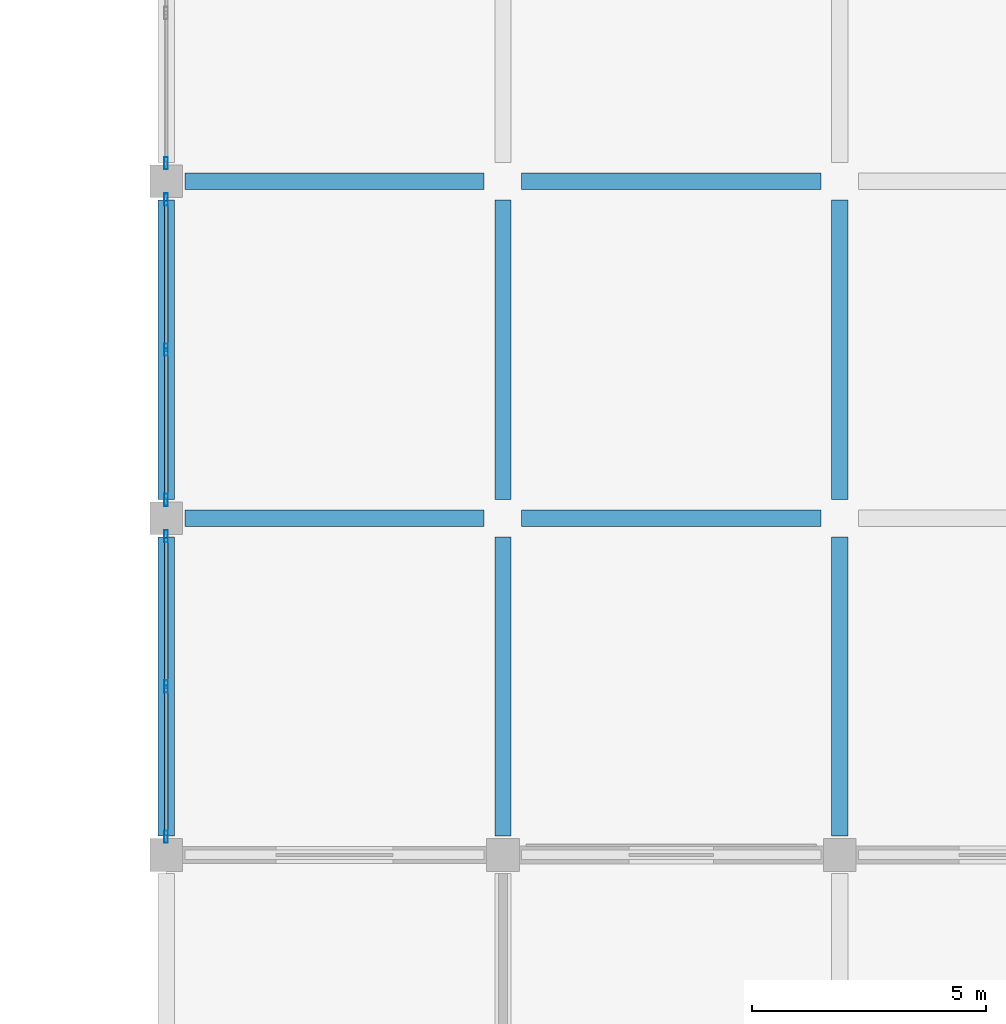
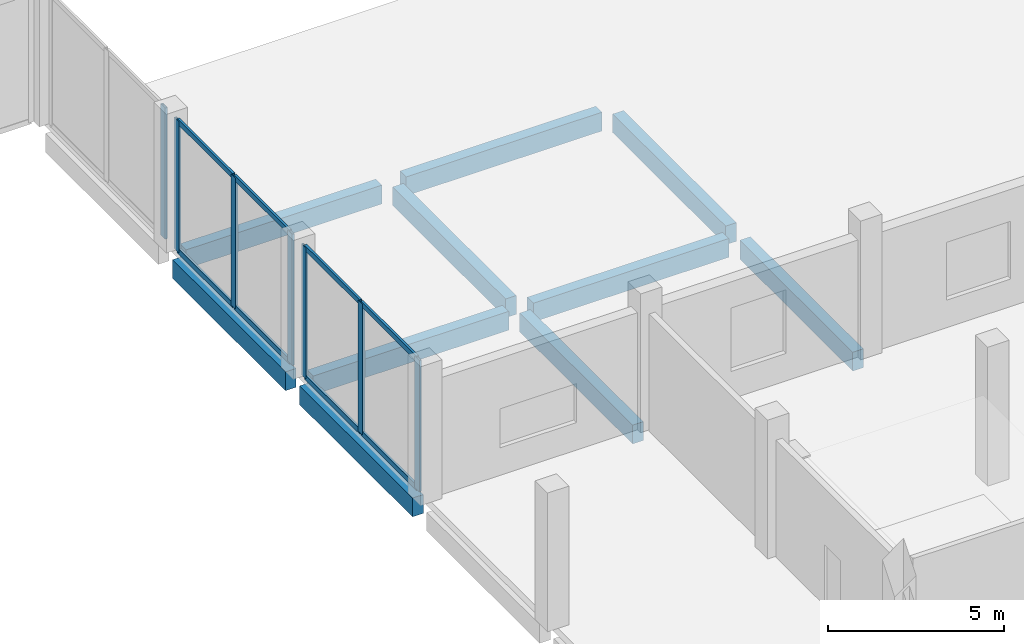
# One storey, part 52 of 99: 15 members, 10 beams, 3 elements without a shape of their own.
"""IFC4 building model written with IfcOpenShell, lengths in metres."""

from ifc_helpers import new_model, si_unit, direction, frame, origin, origin_2d, place, context, subcontext, project, spatial, rectangle, hollow_rectangle, extrude, material, material_profile, profile_set, type_object, element, aggregate, save


model = new_model("IFC4")

# Units and contexts
model_context = context("Model", 3, precision=1e-05, world=origin(), true_north=direction((0.0, 1.0)))
body_context = subcontext(model_context, "Body", "Model", "MODEL_VIEW")
ifc_project = project(units=[si_unit("LENGTHUNIT", "METRE"), si_unit("AREAUNIT", "SQUARE_METRE"), si_unit("VOLUMEUNIT", "CUBIC_METRE"), si_unit("PLANEANGLEUNIT", "RADIAN"), si_unit("MASSUNIT", "GRAM", prefix="KILO")], contexts=[model_context])

# Site, building, storey
site_placement = place(None, origin())
site = spatial("IfcSite", under=ifc_project, at=site_placement, CompositionType="ELEMENT")
building_placement = place(site_placement, origin())
building = spatial("IfcBuilding", under=site, at=building_placement, Name="Vesperath Aquatics Centre", CompositionType="ELEMENT")
storey_placement = place(building_placement, frame((0.0, 0.0, 5.39990234375)))
storey = spatial("IfcBuildingStorey", under=building, at=storey_placement, Name="L01", CompositionType="ELEMENT", Elevation=5.39990234375)

# Beams
ifc_material_1 = material(Name="Concrete C35", Category="concrete")
ifc_material_profile_1 = material_profile(ifc_material_1, rectangle(XDim=0.35009765625, YDim=0.64990234375, at=origin_2d()), Name="RC 350x650")
ifc_profile_set_1 = profile_set([ifc_material_profile_1], Name="Concrete C35")
beam_type = type_object("IfcBeamType", Name="BM-G05", PredefinedType="BEAM", material=ifc_profile_set_1)
for number, where, z_axis, x_axis, name in (
    (1, (144.39990234375, 100.800048828125, -0.579833984375), (1.0, 0.0, 0.0), (0.0, 1.0, 0.0), "Changing Wing Low Roof Girder B05 Q 21-22"),
    (2, (144.39990234375, 108.0, -0.579833984375), (1.0, 0.0, 0.0), (0.0, 1.0, 0.0), "Changing Wing Low Roof Girder B05 R 21-22"),
):
    element("IfcBeam", number, at=place(storey_placement, frame(where, z_axis=z_axis, x_axis=x_axis)), inside=storey, type_object=beam_type, Name=name, PredefinedType="BEAM", context=body_context, shape_type="SweptSolid", body=[
        extrude(rectangle(XDim=0.35009765625, YDim=0.64990234375, at=origin_2d()), origin(), (0.0, 0.0, 1.0), 6.400146484375),
    ])
for number, where, z_axis, x_axis, name in (
    (3, (151.60009765625, 100.800048828125, -0.579833984375), (1.0, 0.0, 0.0), (0.0, 1.0, 0.0), "Changing Wing Low Roof Girder B05 Q 22-23"),
    (4, (151.60009765625, 108.0, -0.579833984375), (1.0, 0.0, 0.0), (0.0, 1.0, 0.0), "Changing Wing Low Roof Girder B05 R 22-23"),
    (5, (144.0, 94.0, -0.579833984375), (0.0, 1.0, 0.0), (-1.0, 0.0, 0.0), "Changing Wing Low Roof Girder B05 21 P-Q"),
):
    element("IfcBeam", number, at=place(storey_placement, frame(where, z_axis=z_axis, x_axis=x_axis)), inside=storey, type_object=beam_type, Name=name, PredefinedType="BEAM", context=body_context, shape_type="SweptSolid", body=[
        extrude(rectangle(XDim=0.35009765625, YDim=0.64990234375, at=origin_2d()), origin(), (0.0, 0.0, 1.0), 6.39990234375),
    ])
beam_1_placement = place(storey_placement, frame((144.0, 101.199951171875, -0.579833984375), z_axis=(0.0, 1.0, 0.0), x_axis=(-1.0, 0.0, 0.0)))
element("IfcBeam", 6, at=beam_1_placement, inside=storey, type_object=beam_type, Name="Changing Wing Low Roof Girder B05 21 Q-R", PredefinedType="BEAM", context=body_context, shape_type="SweptSolid", body=[
    extrude(rectangle(XDim=0.35009765625, YDim=0.64990234375, at=origin_2d()), origin(), (0.0, 0.0, 1.0), 6.400146484375),
])
beam_2_placement = place(storey_placement, frame((151.199951171875, 94.0, -0.579833984375), z_axis=(0.0, 1.0, 0.0), x_axis=(-1.0, 0.0, 0.0)))
element("IfcBeam", 7, at=beam_2_placement, inside=storey, type_object=beam_type, Name="Changing Wing Low Roof Girder B05 22 P-Q", PredefinedType="BEAM", context=body_context, shape_type="SweptSolid", body=[
    extrude(rectangle(XDim=0.35009765625, YDim=0.64990234375, at=origin_2d()), origin(), (0.0, 0.0, 1.0), 6.39990234375),
])
beam_3_placement = place(storey_placement, frame((151.199951171875, 101.199951171875, -0.579833984375), z_axis=(0.0, 1.0, 0.0), x_axis=(-1.0, 0.0, 0.0)))
element("IfcBeam", 8, at=beam_3_placement, inside=storey, type_object=beam_type, Name="Changing Wing Low Roof Girder B05 22 Q-R", PredefinedType="BEAM", context=body_context, shape_type="SweptSolid", body=[
    extrude(rectangle(XDim=0.35009765625, YDim=0.64990234375, at=origin_2d()), origin(), (0.0, 0.0, 1.0), 6.400146484375),
])
beam_4_placement = place(storey_placement, frame((158.39990234375, 94.0, -0.579833984375), z_axis=(0.0, 1.0, 0.0), x_axis=(-1.0, 0.0, 0.0)))
element("IfcBeam", 9, at=beam_4_placement, inside=storey, type_object=beam_type, Name="Changing Wing Low Roof Girder B05 23 P-Q", PredefinedType="BEAM", context=body_context, shape_type="SweptSolid", body=[
    extrude(rectangle(XDim=0.35009765625, YDim=0.64990234375, at=origin_2d()), origin(), (0.0, 0.0, 1.0), 6.39990234375),
])
beam_5_placement = place(storey_placement, frame((158.39990234375, 101.199951171875, -0.579833984375), z_axis=(0.0, 1.0, 0.0), x_axis=(-1.0, 0.0, 0.0)))
element("IfcBeam", 10, at=beam_5_placement, inside=storey, type_object=beam_type, Name="Changing Wing Low Roof Girder B05 23 Q-R", PredefinedType="BEAM", context=body_context, shape_type="SweptSolid", body=[
    extrude(rectangle(XDim=0.35009765625, YDim=0.64990234375, at=origin_2d()), origin(), (0.0, 0.0, 1.0), 6.400146484375),
])

# Curtain wall, members
ifc_material_2 = material(Name="Thermally broken anodised bronze aluminium curtain wall", Category="aluminium")
curtain_wall_type = type_object("IfcCurtainWallType", Name="CW-06", PredefinedType="NOTDEFINED", material=ifc_material_2)
curtain_wall_1_placement = place(storey_placement, origin())
curtain_wall_1 = element("IfcCurtainWall", 11, at=curtain_wall_1_placement, inside=storey, type_object=curtain_wall_type, Name="Facade Curtain Wall CW06 L01_E_20_13", PredefinedType="NOTDEFINED")
ifc_material_3 = material(Name="Thermally broken anodised aluminium", Category="aluminium")
ifc_material_profile_2 = material_profile(ifc_material_3, hollow_rectangle(XDim=0.074951171875, YDim=0.260009765625, WallThickness=0.006103515625, at=origin_2d()), Name="CWM 75x260x6")
ifc_profile_set_2 = profile_set([ifc_material_profile_2], Name="Thermally broken anodised aluminium")
member_type_1 = type_object("IfcMemberType", Name="MB-CWM1", PredefinedType="MULLION", material=ifc_profile_set_2)
member_1_placement = place(storey_placement, frame((144.0, 93.987548828125, 0.0), z_axis=(0.0, 0.0, 1.0), x_axis=(-1.0, 0.0, 0.0)))
member_1 = element("IfcMember", 12, at=member_1_placement, type_object=member_type_1, Name="CW06 mullion 1", PredefinedType="MULLION", context=body_context, shape_type="SweptSolid", body=[
    extrude(hollow_rectangle(XDim=0.074951171875, YDim=0.260009765625, WallThickness=0.006103515625, at=origin_2d()), origin(), (0.0, 0.0, 1.0), 4.5400390625),
])
member_2_placement = place(storey_placement, frame((144.0, 97.199951171875, 0.0), z_axis=(0.0, 0.0, 1.0), x_axis=(-1.0, 0.0, 0.0)))
member_2 = element("IfcMember", 13, at=member_2_placement, type_object=member_type_1, Name="CW06 mullion 2", PredefinedType="MULLION", context=body_context, shape_type="SweptSolid", body=[
    extrude(hollow_rectangle(XDim=0.074951171875, YDim=0.260009765625, WallThickness=0.006103515625, at=origin_2d()), origin(), (0.0, 0.0, 1.0), 4.5400390625),
])
member_3_placement = place(storey_placement, frame((144.0, 100.41259765625, 0.0), z_axis=(0.0, 0.0, 1.0), x_axis=(-1.0, 0.0, 0.0)))
member_3 = element("IfcMember", 14, at=member_3_placement, type_object=member_type_1, Name="CW06 mullion 3", PredefinedType="MULLION", context=body_context, shape_type="SweptSolid", body=[
    extrude(hollow_rectangle(XDim=0.074951171875, YDim=0.260009765625, WallThickness=0.006103515625, at=origin_2d()), origin(), (0.0, 0.0, 1.0), 4.5400390625),
])

curtain_wall_2_placement = place(storey_placement, origin())
curtain_wall_2 = element("IfcCurtainWall", 15, at=curtain_wall_2_placement, inside=storey, type_object=curtain_wall_type, Name="Facade Curtain Wall CW06 L01_E_20_14", PredefinedType="NOTDEFINED")
member_4_placement = place(storey_placement, frame((144.0, 101.1875, 0.0), z_axis=(0.0, 0.0, 1.0), x_axis=(-1.0, 0.0, 0.0)))
member_4 = element("IfcMember", 16, at=member_4_placement, type_object=member_type_1, Name="CW06 mullion 1", PredefinedType="MULLION", context=body_context, shape_type="SweptSolid", body=[
    extrude(hollow_rectangle(XDim=0.074951171875, YDim=0.260009765625, WallThickness=0.006103515625, at=origin_2d()), origin(), (0.0, 0.0, 1.0), 4.5400390625),
])
member_5_placement = place(storey_placement, frame((144.0, 104.39990234375, 0.0), z_axis=(0.0, 0.0, 1.0), x_axis=(-1.0, 0.0, 0.0)))
member_5 = element("IfcMember", 17, at=member_5_placement, type_object=member_type_1, Name="CW06 mullion 2", PredefinedType="MULLION", context=body_context, shape_type="SweptSolid", body=[
    extrude(hollow_rectangle(XDim=0.074951171875, YDim=0.260009765625, WallThickness=0.006103515625, at=origin_2d()), origin(), (0.0, 0.0, 1.0), 4.5400390625),
])
member_6_placement = place(storey_placement, frame((144.0, 107.612548828125, 0.0), z_axis=(0.0, 0.0, 1.0), x_axis=(-1.0, 0.0, 0.0)))
member_6 = element("IfcMember", 18, at=member_6_placement, type_object=member_type_1, Name="CW06 mullion 3", PredefinedType="MULLION", context=body_context, shape_type="SweptSolid", body=[
    extrude(hollow_rectangle(XDim=0.074951171875, YDim=0.260009765625, WallThickness=0.006103515625, at=origin_2d()), origin(), (0.0, 0.0, 1.0), 4.5400390625),
])

# Curtain wall, member
curtain_wall_3_placement = place(storey_placement, origin())
curtain_wall_3 = element("IfcCurtainWall", 19, at=curtain_wall_3_placement, inside=storey, type_object=curtain_wall_type, Name="Facade Curtain Wall CW06 L01_E_20_15", PredefinedType="NOTDEFINED")
member_7_placement = place(storey_placement, frame((144.0, 108.387451171875, 0.0), z_axis=(0.0, 0.0, 1.0), x_axis=(-1.0, 0.0, 0.0)))
member_7 = element("IfcMember", 20, at=member_7_placement, type_object=member_type_1, Name="CW06 mullion 1", PredefinedType="MULLION", context=body_context, shape_type="SweptSolid", body=[
    extrude(hollow_rectangle(XDim=0.074951171875, YDim=0.260009765625, WallThickness=0.006103515625, at=origin_2d()), origin(), (0.0, 0.0, 1.0), 4.5400390625),
])
aggregate(curtain_wall_3, [member_7])

# Member
ifc_material_profile_3 = material_profile(ifc_material_3, hollow_rectangle(XDim=0.074951171875, YDim=0.179931640625, WallThickness=0.0048828125, at=origin_2d()), Name="CWT 75x180x5")
ifc_profile_set_3 = profile_set([ifc_material_profile_3], Name="Thermally broken anodised aluminium")
member_type_2 = type_object("IfcMemberType", Name="MB-CWT1", PredefinedType="USERDEFINED", material=ifc_profile_set_3)
member_8_placement = place(storey_placement, frame((144.0, 94.02490234375, 0.03759765625), z_axis=(0.0, 1.0, 0.0), x_axis=(-1.0, 0.0, 0.0)))
member_8 = element("IfcMember", 21, at=member_8_placement, type_object=member_type_2, Name="CW06 transom 1.1", ObjectType="TRANSOM", PredefinedType="USERDEFINED", context=body_context, shape_type="SweptSolid", body=[
    extrude(hollow_rectangle(XDim=0.074951171875, YDim=0.179931640625, WallThickness=0.0048828125, at=origin_2d()), origin(), (0.0, 0.0, 1.0), 3.1376953125),
])

member_9_placement = place(storey_placement, frame((144.0, 94.02490234375, 4.502685546875), z_axis=(0.0, 1.0, 0.0), x_axis=(-1.0, 0.0, 0.0)))
member_9 = element("IfcMember", 22, at=member_9_placement, type_object=member_type_2, Name="CW06 transom 1.2", ObjectType="TRANSOM", PredefinedType="USERDEFINED", context=body_context, shape_type="SweptSolid", body=[
    extrude(hollow_rectangle(XDim=0.074951171875, YDim=0.179931640625, WallThickness=0.0048828125, at=origin_2d()), origin(), (0.0, 0.0, 1.0), 3.1376953125),
])

member_10_placement = place(storey_placement, frame((144.0, 97.237548828125, 0.03759765625), z_axis=(0.0, 1.0, 0.0), x_axis=(-1.0, 0.0, 0.0)))
member_10 = element("IfcMember", 23, at=member_10_placement, type_object=member_type_2, Name="CW06 transom 2.1", ObjectType="TRANSOM", PredefinedType="USERDEFINED", context=body_context, shape_type="SweptSolid", body=[
    extrude(hollow_rectangle(XDim=0.074951171875, YDim=0.179931640625, WallThickness=0.0048828125, at=origin_2d()), origin(), (0.0, 0.0, 1.0), 3.137451171875),
])

member_11_placement = place(storey_placement, frame((144.0, 97.237548828125, 4.502685546875), z_axis=(0.0, 1.0, 0.0), x_axis=(-1.0, 0.0, 0.0)))
member_11 = element("IfcMember", 24, at=member_11_placement, type_object=member_type_2, Name="CW06 transom 2.2", ObjectType="TRANSOM", PredefinedType="USERDEFINED", context=body_context, shape_type="SweptSolid", body=[
    extrude(hollow_rectangle(XDim=0.074951171875, YDim=0.179931640625, WallThickness=0.0048828125, at=origin_2d()), origin(), (0.0, 0.0, 1.0), 3.137451171875),
])

aggregate(curtain_wall_1, [member_1, member_2, member_3, member_8, member_9, member_10, member_11])

member_12_placement = place(storey_placement, frame((144.0, 101.22509765625, 0.03759765625), z_axis=(0.0, 1.0, 0.0), x_axis=(-1.0, 0.0, 0.0)))
member_12 = element("IfcMember", 25, at=member_12_placement, type_object=member_type_2, Name="CW06 transom 1.1", ObjectType="TRANSOM", PredefinedType="USERDEFINED", context=body_context, shape_type="SweptSolid", body=[
    extrude(hollow_rectangle(XDim=0.074951171875, YDim=0.179931640625, WallThickness=0.0048828125, at=origin_2d()), origin(), (0.0, 0.0, 1.0), 3.137451171875),
])

member_13_placement = place(storey_placement, frame((144.0, 101.22509765625, 4.502685546875), z_axis=(0.0, 1.0, 0.0), x_axis=(-1.0, 0.0, 0.0)))
member_13 = element("IfcMember", 26, at=member_13_placement, type_object=member_type_2, Name="CW06 transom 1.2", ObjectType="TRANSOM", PredefinedType="USERDEFINED", context=body_context, shape_type="SweptSolid", body=[
    extrude(hollow_rectangle(XDim=0.074951171875, YDim=0.179931640625, WallThickness=0.0048828125, at=origin_2d()), origin(), (0.0, 0.0, 1.0), 3.137451171875),
])

member_14_placement = place(storey_placement, frame((144.0, 104.4375, 0.03759765625), z_axis=(0.0, 1.0, 0.0), x_axis=(-1.0, 0.0, 0.0)))
member_14 = element("IfcMember", 27, at=member_14_placement, type_object=member_type_2, Name="CW06 transom 2.1", ObjectType="TRANSOM", PredefinedType="USERDEFINED", context=body_context, shape_type="SweptSolid", body=[
    extrude(hollow_rectangle(XDim=0.074951171875, YDim=0.179931640625, WallThickness=0.0048828125, at=origin_2d()), origin(), (0.0, 0.0, 1.0), 3.137451171875),
])

member_15_placement = place(storey_placement, frame((144.0, 104.4375, 4.502685546875), z_axis=(0.0, 1.0, 0.0), x_axis=(-1.0, 0.0, 0.0)))
member_15 = element("IfcMember", 28, at=member_15_placement, type_object=member_type_2, Name="CW06 transom 2.2", ObjectType="TRANSOM", PredefinedType="USERDEFINED", context=body_context, shape_type="SweptSolid", body=[
    extrude(hollow_rectangle(XDim=0.074951171875, YDim=0.179931640625, WallThickness=0.0048828125, at=origin_2d()), origin(), (0.0, 0.0, 1.0), 3.137451171875),
])

aggregate(curtain_wall_2, [member_4, member_5, member_6, member_12, member_13, member_14, member_15])

save(model, "model.ifc")
